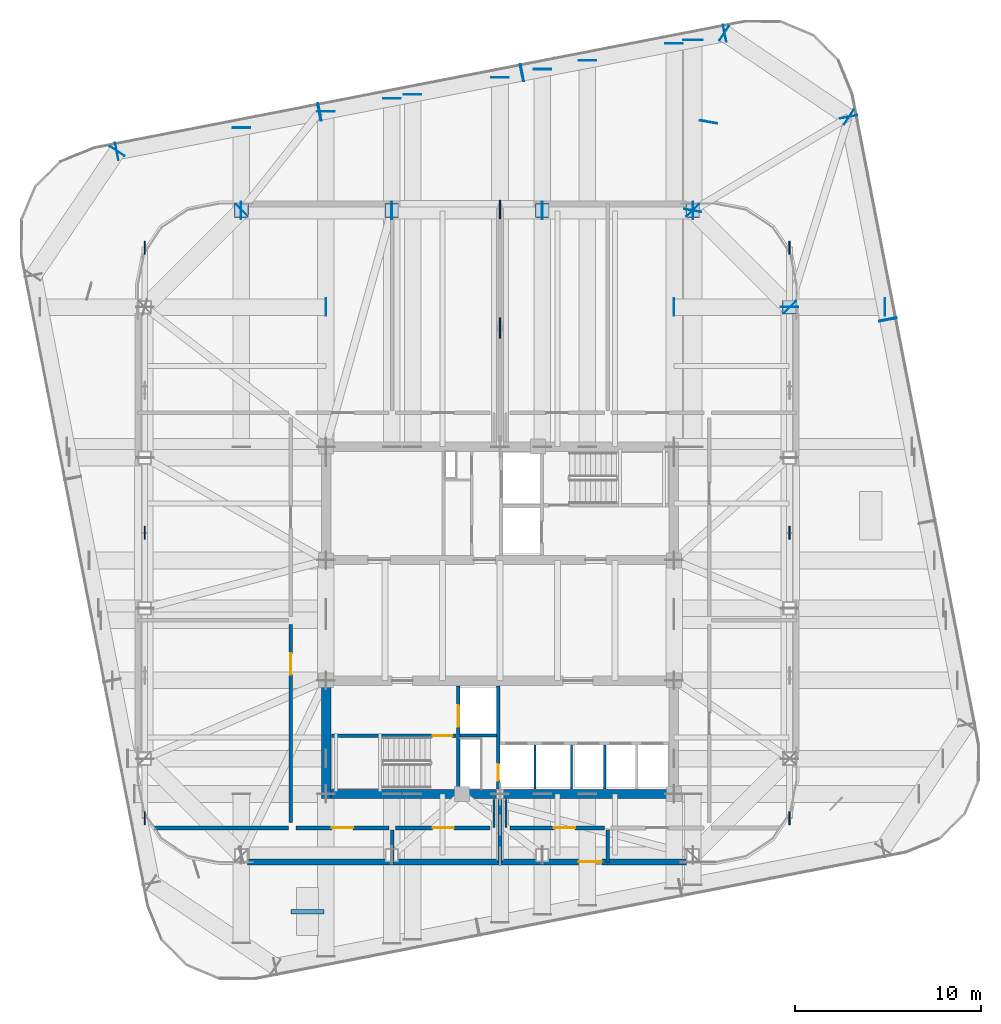
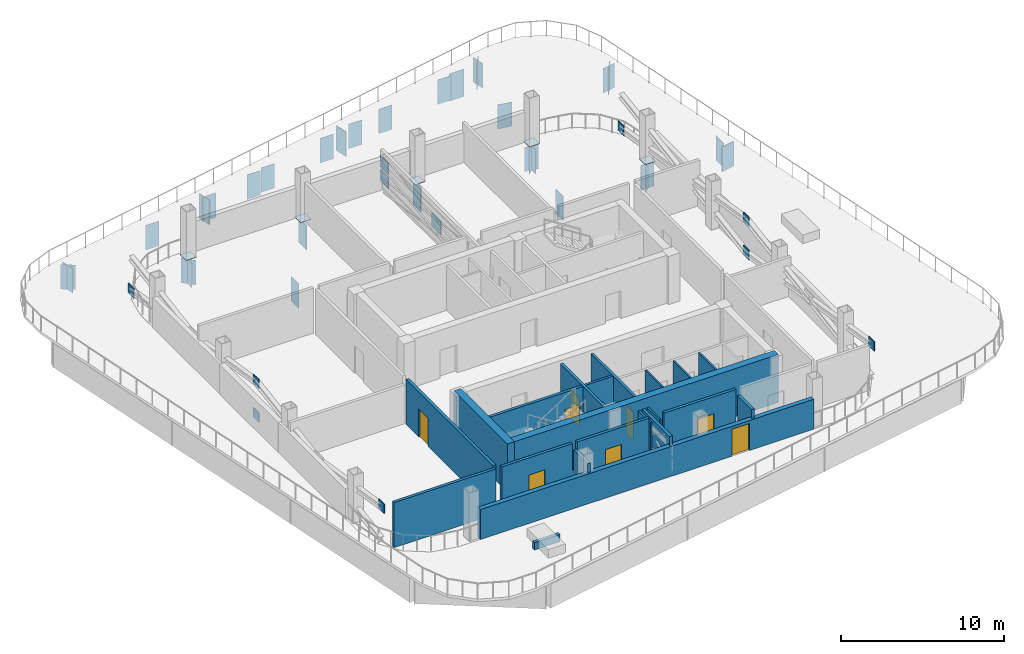
# One storey, part 7 of 14: 52 plates, 21 walls, 8 doors, 8 openings.
"""IFC4 building model written with IfcOpenShell, lengths in metres."""

from ifc_helpers import new_model, si_unit, direction, frame, frame_2d, origin, origin_2d, place, context, subcontext, project, spatial, rectangle, extrude, material, layer, layer_set, type_object, element, fill, save


model = new_model("IFC4")

# Units and contexts
model_context = context("Model", 3, precision=1e-05, world=origin(), true_north=direction((0.0, 1.0)))
body_context = subcontext(model_context, "Body", "Model", "MODEL_VIEW")
ifc_project = project(units=[si_unit("LENGTHUNIT", "METRE"), si_unit("AREAUNIT", "SQUARE_METRE"), si_unit("VOLUMEUNIT", "CUBIC_METRE"), si_unit("PLANEANGLEUNIT", "RADIAN"), si_unit("MASSUNIT", "GRAM", prefix="KILO")], contexts=[model_context])

# Site, building, storey
site_placement = place(None, origin())
site = spatial("IfcSite", under=ifc_project, at=site_placement, CompositionType="ELEMENT")
building_placement = place(site_placement, origin())
building = spatial("IfcBuilding", under=site, at=building_placement, Name="Qhalaya Broadcast Tower", CompositionType="ELEMENT")
storey_placement = place(building_placement, frame((0.0, 0.0, 144.60009765625)))
storey = spatial("IfcBuildingStorey", under=building, at=storey_placement, Name="L42", CompositionType="ELEMENT", Elevation=144.60009765625)

# Plates
ifc_material_1 = material(Name="Structural Steel ASTM A572 Grade 50", Category="steel")
ifc_layer_1 = layer(ifc_material_1, 0.4599609375, Name="Structural Steel ASTM A572 Grade 50")
ifc_layer_set_1 = layer_set([ifc_layer_1], Name="Structural Steel ASTM A572 Grade 50")
plate_type_1 = type_object("IfcPlateType", Name="Hollow Box Member End Cap Plate CP-01", PredefinedType="USERDEFINED", material=ifc_layer_set_1)
for number, where, z_axis, x_axis, name in (
    (1, (15.580078125, 17.47607421875, -2.10009765625), (0.0, 0.0, 1.0), (-1.0, 0.0, 0.0), "L42 Hollow Girder End Cap L42-SPR-07-B"),
    (2, (15.59130859375, 17.44873046875, -2.10009765625), (0.0, 0.0, 1.0), (-0.707106781187, -0.707106781187, 0.0), "L42 Hollow Girder End Cap L42-SPR-08-A"),
    (3, (10.36865234375, 22.67138671875, -2.10009765625), (0.0, 0.0, 1.0), (-0.707106781187, -0.707106781187, 0.0), "L42 Hollow Girder End Cap L42-SPR-08-B"),
    (4, (10.39599609375, 22.659912109375, -2.10009765625), (0.0, 0.0, 1.0), (0.0, -1.0, 0.0), "L42 Hollow Girder End Cap L42-SPR-09-A"),
    (5, (2.263916015625, 22.659912109375, -2.10009765625), (0.0, 0.0, 1.0), (0.0, -1.0, 0.0), "L42 Hollow Girder End Cap L42-SPR-09-B"),
    (6, (2.2958984375, 22.659912109375, -2.10009765625), (0.0, 0.0, 1.0), (0.0, -1.0, 0.0), "L42 Hollow Girder End Cap L42-SPR-10-A"),
    (7, (-5.8359375, 22.659912109375, -2.10009765625), (0.0, 0.0, 1.0), (0.0, -1.0, 0.0), "L42 Hollow Girder End Cap L42-SPR-10-B"),
    (8, (-5.803955078125, 22.659912109375, -2.10009765625), (0.0, 0.0, 1.0), (0.0, -1.0, 0.0), "L42 Hollow Girder End Cap L42-SPR-11-A"),
    (9, (-13.93603515625, 22.659912109375, -2.10009765625), (0.0, 0.0, 1.0), (0.0, -1.0, 0.0), "L42 Hollow Girder End Cap L42-SPR-11-B"),
    (10, (-13.90869140625, 22.67138671875, -2.10009765625), (0.0, 0.0, 1.0), (0.707106781187, -0.707106781187, 0.0), "L42 Hollow Girder End Cap L42-SPR-12-A"),
    (11, (20.877197265625, 16.808349609375, -2.10009765625), (0.0, 0.0, 1.0), (-0.981627183448, -0.190808995377, 0.0), "L42 Hollow Girder End Cap L42-TGL-06-B"),
    (12, (20.883544921875, 16.77685546875, -2.10009765625), (0.0, 0.0, 1.0), (-0.981627183448, -0.190808995377, 0.0), "L42 Hollow Girder End Cap L42-TGL-07-A"),
    (13, (18.75927734375, 27.704345703125, -2.10009765625), (0.0, 0.0, 1.0), (-0.981627183448, -0.190808995377, 0.0), "L42 Hollow Girder End Cap L42-TGL-07-B"),
    (14, (18.775634765625, 27.6796875, -2.10009765625), (0.0, 0.0, 1.0), (-0.559192903471, -0.829037572555, 0.0), "L42 Hollow Girder End Cap L42-TGL-08-A"),
    (15, (12.066162109375, 32.205078125, -2.10009765625), (0.0, 0.0, 1.0), (-0.559192903471, -0.829037572555, 0.0), "L42 Hollow Girder End Cap L42-TGL-08-B"),
    (16, (12.09521484375, 32.199462890625, -2.10009765625), (0.0, 0.0, 1.0), (0.190808995377, -0.981627183448, 0.0), "L42 Hollow Girder End Cap L42-TGL-09-A"),
    (17, (1.167724609375, 30.0751953125, -2.10009765625), (0.0, 0.0, 1.0), (0.190808995377, -0.981627183448, 0.0), "L42 Hollow Girder End Cap L42-TGL-09-B"),
    (18, (1.19921875, 30.08154296875, -2.10009765625), (0.0, 0.0, 1.0), (0.190808995377, -0.981627183448, 0.0), "L42 Hollow Girder End Cap L42-TGL-10-A"),
    (19, (-9.728271484375, 27.957275390625, -2.10009765625), (0.0, 0.0, 1.0), (0.190808995377, -0.981627183448, 0.0), "L42 Hollow Girder End Cap L42-TGL-10-B"),
    (20, (-9.697021484375, 27.96337890625, -2.10009765625), (0.0, 0.0, 1.0), (0.190808995377, -0.981627183448, 0.0), "L42 Hollow Girder End Cap L42-TGL-11-A"),
    (21, (-20.62451171875, 25.83935546875, -2.10009765625), (0.0, 0.0, 1.0), (0.190808995377, -0.981627183448, 0.0), "L42 Hollow Girder End Cap L42-TGL-11-B"),
    (22, (-20.599853515625, 25.855712890625, -2.10009765625), (0.0, 0.0, 1.0), (0.829037572555, -0.559192903471, 0.0), "L42 Hollow Girder End Cap L42-TGL-12-A"),
    (23, (-9.375, 28.001220703125, -2.10009765625), (0.0, 0.0, 1.0), (-1.0, 0.0, 0.0), "L42 Hollow Girder End Cap L42-TGINW-1-B"),
    (24, (9.375, 31.64599609375, -2.10009765625), (0.0, 0.0, 1.0), (-1.0, 0.0, 0.0), "L42 Hollow Girder End Cap L42-TGINE-1-B"),
    (25, (0.0, 29.823486328125, -2.10009765625), (0.0, 0.0, 1.0), (-1.0, 0.0, 0.0), "L42 Hollow Girder End Cap L42-TGIMN-1-B"),
    (26, (-4.699951171875, 28.909912109375, -2.10009765625), (0.0, 0.0, 1.0), (-1.0, 0.0, 0.0), "L42 Hollow Girder End Cap L42-TGIMNW-1-B"),
    (27, (4.699951171875, 30.7373046875, -2.10009765625), (0.0, 0.0, 1.0), (-1.0, 0.0, 0.0), "L42 Hollow Girder End Cap L42-TGIMNE-1-B"),
    (28, (9.35888671875, 17.4599609375, -2.10009765625), (0.0, 0.0, 1.0), (0.0, 1.0, 0.0), "L42 Hollow Girder End Cap L42-TGC-08-A"),
    (29, (20.725830078125, 17.4599609375, -2.10009765625), (0.0, 0.0, 1.0), (0.0, 1.0, 0.0), "L42 Hollow Girder End Cap L42-TGC-08-B"),
):
    element("IfcPlate", number, at=place(storey_placement, frame(where, z_axis=z_axis, x_axis=x_axis)), inside=storey, type_object=plate_type_1, Name=name, ObjectType="COVER_PLATE", PredefinedType="USERDEFINED", context=body_context, shape_type="SweptSolid", body=[
        extrude(rectangle(XDim=0.93994140625, YDim=0.031982421875, at=origin_2d()), origin(), (0.0, 0.0, 1.0), 1.840087890625),
    ])
plate_1_placement = place(storey_placement, frame((10.3798828125, 31.84130859375, -2.300048828125), z_axis=(0.0, 0.0, 1.0), x_axis=(-1.0, 0.0, 0.0)))
element("IfcPlate", 30, at=plate_1_placement, inside=storey, type_object=plate_type_1, Name="L42 Hollow Girder End Cap L42-TGC-09-B", ObjectType="COVER_PLATE", PredefinedType="USERDEFINED", context=body_context, shape_type="SweptSolid", body=[
    extrude(rectangle(XDim=1.0400390625, YDim=0.031982421875, at=origin_2d()), origin(), (0.0, 0.0, 1.0), 2.0400390625),
])
plate_2_placement = place(storey_placement, frame((10.3798828125, 22.659912109375, -2.080078125), z_axis=(0.0, 0.0, 1.0), x_axis=(0.984487872592, -0.175452639534, 0.0)))
element("IfcPlate", 31, at=plate_2_placement, inside=storey, type_object=plate_type_1, Name="L42 Transfer Box End Cap 09", ObjectType="COVER_PLATE", PredefinedType="USERDEFINED", context=body_context, shape_type="SweptSolid", body=[
    extrude(rectangle(XDim=0.919921875, YDim=0.035888671875, at=origin_2d()), origin(), (0.0, 0.0, 1.0), 1.800048828125),
])
for number, where, z_axis, x_axis, name in (
    (32, (2.280029296875, 30.266845703125, -2.10009765625), (0.0, 0.0, 1.0), (-1.0, 0.0, 0.0), "L42 Hollow Girder End Cap L42-TGC-10-B"),
    (33, (-5.820068359375, 28.6923828125, -2.10009765625), (0.0, 0.0, 1.0), (-1.0, 0.0, 0.0), "L42 Hollow Girder End Cap L42-TGC-11-B"),
    (34, (-13.919921875, 27.117919921875, -2.10009765625), (0.0, 0.0, 1.0), (-1.0, 0.0, 0.0), "L42 Hollow Girder End Cap L42-TGC-12-B"),
    (35, (-9.35888671875, 17.4599609375, -2.10009765625), (0.0, 0.0, 1.0), (0.0, 1.0, 0.0), "L42 Hollow Girder End Cap L42-TGC-13-B"),
):
    element("IfcPlate", number, at=place(storey_placement, frame(where, z_axis=z_axis, x_axis=x_axis)), inside=storey, type_object=plate_type_1, Name=name, ObjectType="COVER_PLATE", PredefinedType="USERDEFINED", context=body_context, shape_type="SweptSolid", body=[
        extrude(rectangle(XDim=0.93994140625, YDim=0.031982421875, at=origin_2d()), origin(), (0.0, 0.0, 1.0), 1.840087890625),
    ])
for number, where, z_axis, x_axis, name in (
    (36, (15.580078125, 17.4599609375, -0.0322265625), (0.0, 0.0, 1.0), (0.0, 1.0, 0.0), "L42 Hollow Box Column Base Cap Plate COL-NK08"),
    (37, (10.3798828125, 22.659912109375, -0.0322265625), (0.0, 0.0, 1.0), (1.0, 0.0, 0.0), "L42 Hollow Box Column Base Cap Plate COL-NK09"),
    (38, (2.280029296875, 22.659912109375, -0.0322265625), (0.0, 0.0, 1.0), (1.0, 0.0, 0.0), "L42 Hollow Box Column Base Cap Plate COL-NK10"),
    (39, (-5.820068359375, 22.659912109375, -0.0322265625), (0.0, 0.0, 1.0), (1.0, 0.0, 0.0), "L42 Hollow Box Column Base Cap Plate COL-NK11"),
    (40, (-13.919921875, 22.659912109375, -0.0322265625), (0.0, 0.0, 1.0), (1.0, 0.0, 0.0), "L42 Hollow Box Column Base Cap Plate COL-NK12"),
):
    element("IfcPlate", number, at=place(storey_placement, frame(where, z_axis=z_axis, x_axis=x_axis)), inside=storey, type_object=plate_type_1, Name=name, ObjectType="COVER_PLATE", PredefinedType="USERDEFINED", context=body_context, shape_type="SweptSolid", body=[
        extrude(rectangle(XDim=0.739990234375, YDim=0.739990234375, at=origin_2d()), origin(), (0.0, 0.0, 1.0), 0.031982421875),
    ])
ifc_layer_2 = layer(ifc_material_1, 0.06005859375, Name="Structural Steel ASTM A572 Grade 50")
ifc_layer_set_2 = layer_set([ifc_layer_2], Name="Structural Steel ASTM A572 Grade 50")
plate_type_2 = type_object("IfcPlateType", Name="Outrigger Core Embed Gusset Plate NP-02", PredefinedType="USERDEFINED", material=ifc_layer_set_2)
plate_3_placement = place(storey_placement, frame((0.0, 16.330078125, 0.875), z_axis=(0.0, 0.0, 1.0), x_axis=(0.0, 1.0, 0.0)))
element("IfcPlate", 41, at=plate_3_placement, inside=storey, type_object=plate_type_2, Name="L42 Outrigger Gusset Node NC-XM", ObjectType="GUSSET_PLATE", PredefinedType="USERDEFINED", context=body_context, shape_type="SweptSolid", body=[
    extrude(rectangle(XDim=1.10009765625, YDim=0.06005859375, at=origin_2d()), origin(), (0.0, 0.0, 1.0), 1.0),
])
for number, where, z_axis, x_axis, name in (
    (42, (0.0, 22.7099609375, 0.4248046875), (0.0, 0.0, 1.0), (0.0, 1.0, 0.0), "L42 Outrigger Gusset Node NC-P0"),
    (43, (0.0, 22.7099609375, 1.474853515625), (0.0, 0.0, 1.0), (0.0, 1.0, 0.0), "L42 Outrigger Gusset Node NC-P1"),
):
    element("IfcPlate", number, at=place(storey_placement, frame(where, z_axis=z_axis, x_axis=x_axis)), inside=storey, type_object=plate_type_2, Name=name, ObjectType="GUSSET_PLATE", PredefinedType="USERDEFINED", context=body_context, shape_type="SweptSolid", body=[
        extrude(rectangle(XDim=1.0, YDim=0.06005859375, at=origin_2d()), origin(), (0.0, 0.0, 1.0), 0.85009765625),
    ])
for number, where, z_axis, x_axis, name in (
    (44, (-19.1201171875, -10.0400390625, 2.580078125), (0.0, 0.0, 1.0), (0.0, 1.0, 0.0), "L42 Belt Truss End Gusset W1-B1T"),
    (45, (-19.1201171875, 5.31005859375, 0.10009765625), (0.0, 0.0, 1.0), (0.0, 1.0, 0.0), "L42 Belt Truss End Gusset W1-B2B"),
    (46, (-19.1201171875, 5.31005859375, 2.580078125), (0.0, 0.0, 1.0), (0.0, 1.0, 0.0), "L42 Belt Truss End Gusset W2-B1T"),
    (47, (-19.1201171875, 20.659912109375, 0.10009765625), (0.0, 0.0, 1.0), (0.0, 1.0, 0.0), "L42 Belt Truss End Gusset W2-B2B"),
    (48, (15.580078125, -10.0400390625, 2.580078125), (0.0, 0.0, 1.0), (0.0, 1.0, 0.0), "L42 Belt Truss End Gusset E1-B1T"),
    (49, (15.580078125, 5.31005859375, 0.10009765625), (0.0, 0.0, 1.0), (0.0, 1.0, 0.0), "L42 Belt Truss End Gusset E1-B2B"),
    (50, (15.580078125, 5.31005859375, 2.580078125), (0.0, 0.0, 1.0), (0.0, 1.0, 0.0), "L42 Belt Truss End Gusset E2-B1T"),
    (51, (15.580078125, 20.659912109375, 0.10009765625), (0.0, 0.0, 1.0), (0.0, 1.0, 0.0), "L42 Belt Truss End Gusset E2-B2B"),
):
    element("IfcPlate", number, at=place(storey_placement, frame(where, z_axis=z_axis, x_axis=x_axis)), inside=storey, type_object=plate_type_2, Name=name, ObjectType="GUSSET_PLATE", PredefinedType="USERDEFINED", context=body_context, shape_type="SweptSolid", body=[
        extrude(rectangle(XDim=0.699951171875, YDim=0.06005859375, at=origin_2d()), origin(), (0.0, 0.0, 1.0), 0.699951171875),
    ])
ifc_layer_3 = layer(ifc_material_1, 0.044921875, Name="Structural Steel ASTM A572 Grade 50")
ifc_layer_set_3 = layer_set([ifc_layer_3], Name="Structural Steel ASTM A572 Grade 50")
plate_type_3 = type_object("IfcPlateType", Name="Transfer Girder Web Stiffener Plate WS-01", PredefinedType="USERDEFINED", material=ifc_layer_set_3)
plate_4_placement = place(storey_placement, frame((11.229736328125, 27.42822265625, -2.080078125), z_axis=(0.0, 0.0, 1.0), x_axis=(0.984487872592, -0.175452639534, 0.0)))
element("IfcPlate", 52, at=plate_4_placement, inside=storey, type_object=plate_type_3, Name="L42 Transfer Girder Stiffener 09", ObjectType="STIFFENER_PLATE", PredefinedType="USERDEFINED", context=body_context, shape_type="SweptSolid", body=[
    extrude(rectangle(XDim=0.93994140625, YDim=0.044921875, at=origin_2d()), origin(), (0.0, 0.0, 1.0), 1.800048828125),
])

# Wall
ifc_material_2 = material(Name="Gypsum Acoustic Partition")
ifc_layer_4 = layer(ifc_material_2, 0.199951171875, Name="Gypsum Acoustic Partition")
ifc_layer_set_4 = layer_set([ifc_layer_4], Name="Gypsum Acoustic Partition")
wall_type_1 = type_object("IfcWallType", Name="Firefighting Lobby & Stair Enclosure Wall 200", PredefinedType="PARTITIONING", material=ifc_layer_set_4)
wall_1_placement = place(storey_placement, frame((0.0, -12.419921875, 0.0), z_axis=(0.0, 0.0, 1.0), x_axis=(0.0, 1.0, 0.0)))
element("IfcWall", 53, at=wall_1_placement, inside=storey, type_object=wall_type_1, Name="L42 Partition Wall W-OBS", PredefinedType="PARTITIONING", context=body_context, shape_type="SweptSolid", body=[
    extrude(rectangle(XDim=3.3798828125, YDim=0.199951171875, at=frame_2d((1.68994140625, 0.0))), origin(), (0.0, 0.0, 1.0), 2.90087890625),
])

# Wall, opening, door
wall_2_placement = place(storey_placement, frame((-10.969970703125, -10.570068359375, 0.0), z_axis=(0.0, 0.0, 1.0), x_axis=(1.0, 0.0, 0.0)))
wall_2 = element("IfcWall", 54, at=wall_2_placement, inside=storey, type_object=wall_type_1, Name="L42 Partition Wall W-PCS0", PredefinedType="PARTITIONING", context=body_context, shape_type="SweptSolid", body=[
    extrude(rectangle(XDim=4.989990234375, YDim=0.199951171875, at=frame_2d((2.4951171875, 0.0))), origin(), (0.0, 0.0, 1.0), 3.3798828125),
])
opening_1_placement = place(wall_2_placement, frame((1.919921875, 0.0, 0.0)))
opening_1 = element("IfcOpeningElement", 55, at=opening_1_placement, cuts=wall_2, Name="Opening D05", PredefinedType="OPENING", context=body_context, shape_type="SweptSolid", body=[
    extrude(rectangle(XDim=1.14990234375, YDim=2.10009765625, at=frame_2d((0.574951171875, 1.050048828125))), frame((0.0, 0.112060546875, 0.0), z_axis=(0.0, -1.0, 0.0), x_axis=(1.0, 0.0, 0.0)), (0.0, 0.0, 1.0), 0.223876953125),
])
ifc_material_3 = material(Name="Fire-Rated Steel Door", Category="steel")
door_type_1 = type_object("IfcDoorType", Name="Refuge & Plant Room Fire Door D05", OperationType="NOTDEFINED", PredefinedType="DOOR", material=ifc_material_3)
door_1_placement = place(opening_1_placement, origin())
door_1 = element("IfcDoor", 56, at=door_1_placement, inside=storey, type_object=door_type_1, Name="L42 Door D-PCS0", OperationType="SINGLE_SWING_RIGHT", OverallHeight=2.10009765625, OverallWidth=1.14990234375, PredefinedType="DOOR", context=body_context, shape_type="SweptSolid", body=[
    extrude(rectangle(XDim=1.14990234375, YDim=2.10009765625, at=frame_2d((0.574951171875, 1.050048828125))), frame((0.0, 0.02490234375, 0.0), z_axis=(0.0, -1.0, 0.0), x_axis=(1.0, 0.0, 0.0)), (0.0, 0.0, 1.0), 0.050048828125),
])
fill(opening_1, door_1)

# Wall
wall_3_placement = place(storey_placement, frame((-5.800048828125, -12.419921875, 0.0), z_axis=(0.0, 0.0, 1.0), x_axis=(0.0, 1.0, 0.0)))
element("IfcWall", 57, at=wall_3_placement, inside=storey, type_object=wall_type_1, Name="L42 Partition Wall W-PDS1", PredefinedType="PARTITIONING", context=body_context, shape_type="SweptSolid", body=[
    extrude(rectangle(XDim=1.72998046875, YDim=0.199951171875, at=frame_2d((0.864990234375, 0.0))), origin(), (0.0, 0.0, 1.0), 2.90087890625),
])

# Wall, opening, door
wall_4_placement = place(storey_placement, frame((-5.6201171875, -10.570068359375, 0.0), z_axis=(0.0, 0.0, 1.0), x_axis=(1.0, 0.0, 0.0)))
wall_4 = element("IfcWall", 58, at=wall_4_placement, inside=storey, type_object=wall_type_1, Name="L42 Partition Wall W-PCS1", PredefinedType="PARTITIONING", context=body_context, shape_type="SweptSolid", body=[
    extrude(rectangle(XDim=5.090087890625, YDim=0.199951171875, at=frame_2d((2.544921875, 0.0))), origin(), (0.0, 0.0, 1.0), 3.3798828125),
])
opening_2_placement = place(wall_4_placement, frame((1.989990234375, 0.0, 0.0)))
opening_2 = element("IfcOpeningElement", 59, at=opening_2_placement, cuts=wall_4, Name="Opening D05", PredefinedType="OPENING", context=body_context, shape_type="SweptSolid", body=[
    extrude(rectangle(XDim=1.14990234375, YDim=2.10009765625, at=frame_2d((0.574951171875, 1.050048828125))), frame((0.0, 0.112060546875, 0.0), z_axis=(0.0, -1.0, 0.0), x_axis=(1.0, 0.0, 0.0)), (0.0, 0.0, 1.0), 0.223876953125),
])
door_2_placement = place(opening_2_placement, origin())
door_2 = element("IfcDoor", 60, at=door_2_placement, inside=storey, type_object=door_type_1, Name="L42 Door D-PCS1", OperationType="SINGLE_SWING_RIGHT", OverallHeight=2.10009765625, OverallWidth=1.14990234375, PredefinedType="DOOR", context=body_context, shape_type="SweptSolid", body=[
    extrude(rectangle(XDim=1.14990234375, YDim=2.10009765625, at=frame_2d((0.574951171875, 1.050048828125))), frame((0.0, 0.02490234375, 0.0), z_axis=(0.0, -1.0, 0.0), x_axis=(1.0, 0.0, 0.0)), (0.0, 0.0, 1.0), 0.050048828125),
])
fill(opening_2, door_2)

wall_5_placement = place(storey_placement, frame((0.530029296875, -10.570068359375, 0.0), z_axis=(0.0, 0.0, 1.0), x_axis=(1.0, 0.0, 0.0)))
wall_5 = element("IfcWall", 61, at=wall_5_placement, inside=storey, type_object=wall_type_1, Name="L42 Partition Wall W-PCS2", PredefinedType="PARTITIONING", context=body_context, shape_type="SweptSolid", body=[
    extrude(rectangle(XDim=5.090087890625, YDim=0.199951171875, at=frame_2d((2.544921875, 0.0))), origin(), (0.0, 0.0, 1.0), 3.3798828125),
])
opening_3_placement = place(wall_5_placement, frame((2.3701171875, 0.0, 0.0)))
opening_3 = element("IfcOpeningElement", 62, at=opening_3_placement, cuts=wall_5, Name="Opening D05", PredefinedType="OPENING", context=body_context, shape_type="SweptSolid", body=[
    extrude(rectangle(XDim=1.14990234375, YDim=2.10009765625, at=frame_2d((0.574951171875, 1.050048828125))), frame((0.0, 0.112060546875, 0.0), z_axis=(0.0, -1.0, 0.0), x_axis=(1.0, 0.0, 0.0)), (0.0, 0.0, 1.0), 0.223876953125),
])
door_3_placement = place(opening_3_placement, origin())
door_3 = element("IfcDoor", 63, at=door_3_placement, inside=storey, type_object=door_type_1, Name="L42 Door D-PCS2", OperationType="SINGLE_SWING_RIGHT", OverallHeight=2.10009765625, OverallWidth=1.14990234375, PredefinedType="DOOR", context=body_context, shape_type="SweptSolid", body=[
    extrude(rectangle(XDim=1.14990234375, YDim=2.10009765625, at=frame_2d((0.574951171875, 1.050048828125))), frame((0.0, 0.02490234375, 0.0), z_axis=(0.0, -1.0, 0.0), x_axis=(1.0, 0.0, 0.0)), (0.0, 0.0, 1.0), 0.050048828125),
])
fill(opening_3, door_3)

# Walls
wall_6_placement = place(storey_placement, frame((5.800048828125, -12.419921875, 0.0), z_axis=(0.0, 0.0, 1.0), x_axis=(0.0, 1.0, 0.0)))
element("IfcWall", 64, at=wall_6_placement, inside=storey, type_object=wall_type_1, Name="L42 Partition Wall W-PDS3", PredefinedType="PARTITIONING", context=body_context, shape_type="SweptSolid", body=[
    extrude(rectangle(XDim=1.72998046875, YDim=0.199951171875, at=frame_2d((0.864990234375, 0.0))), origin(), (0.0, 0.0, 1.0), 2.90087890625),
])
wall_7_placement = place(storey_placement, frame((-18.59326171875, -10.570068359375, 0.0), z_axis=(0.0, 0.0, 1.0), x_axis=(1.0, 0.0, 0.0)))
element("IfcWall", 65, at=wall_7_placement, inside=storey, type_object=wall_type_1, Name="L42 Partition Wall W-PBSW", PredefinedType="PARTITIONING", context=body_context, shape_type="SweptSolid", body=[
    extrude(rectangle(XDim=7.203369140625, YDim=0.199951171875, at=frame_2d((3.6015625, 0.0))), origin(), (0.0, 0.0, 1.0), 3.3798828125),
])

# Wall, opening, door
wall_8_placement = place(storey_placement, frame((-11.27001953125, 0.389892578125, 0.0), z_axis=(0.0, 0.0, 1.0), x_axis=(0.0, -1.0, 0.0)))
wall_8 = element("IfcWall", 66, at=wall_8_placement, inside=storey, type_object=wall_type_1, Name="L42 Partition Wall W-PCW1", PredefinedType="PARTITIONING", context=body_context, shape_type="SweptSolid", body=[
    extrude(rectangle(XDim=10.679931640625, YDim=0.199951171875, at=frame_2d((5.33984375, 0.0))), origin(), (0.0, 0.0, 1.0), 3.3798828125),
])
opening_4_placement = place(wall_8_placement, frame((1.56103515625, 0.0, 0.0)))
opening_4 = element("IfcOpeningElement", 67, at=opening_4_placement, cuts=wall_8, Name="Opening D05", PredefinedType="OPENING", context=body_context, shape_type="SweptSolid", body=[
    extrude(rectangle(XDim=1.14990234375, YDim=2.10009765625, at=frame_2d((0.574951171875, 1.050048828125))), frame((0.0, 0.112060546875, 0.0), z_axis=(0.0, -1.0, 0.0), x_axis=(1.0, 0.0, 0.0)), (0.0, 0.0, 1.0), 0.223876953125),
])
door_4_placement = place(opening_4_placement, origin())
door_4 = element("IfcDoor", 68, at=door_4_placement, inside=storey, type_object=door_type_1, Name="L42 Door D-PCW1", OperationType="SINGLE_SWING_LEFT", OverallHeight=2.10009765625, OverallWidth=1.14990234375, PredefinedType="DOOR", context=body_context, shape_type="SweptSolid", body=[
    extrude(rectangle(XDim=1.14990234375, YDim=2.10009765625, at=frame_2d((0.574951171875, 1.050048828125))), frame((0.0, 0.02490234375, 0.0), z_axis=(0.0, -1.0, 0.0), x_axis=(1.0, 0.0, 0.0)), (0.0, 0.0, 1.0), 0.050048828125),
])
fill(opening_4, door_4)

ifc_material_4 = material(Name="Concrete C50/60", Category="concrete")
ifc_layer_5 = layer(ifc_material_4, 0.199951171875, Name="Concrete C50/60")
ifc_layer_set_5 = layer_set([ifc_layer_5], Name="Concrete C50/60")
wall_type_2 = type_object("IfcWallType", Name="Load-Bearing Stair Shaft Wall 200", PredefinedType="SHEAR", material=ifc_layer_set_5)
wall_9_placement = place(storey_placement, frame((-9.080078125, -5.60498046875, 0.0), z_axis=(0.0, 0.0, 1.0), x_axis=(1.0, 0.0, 0.0)))
wall_9 = element("IfcWall", 69, at=wall_9_placement, inside=storey, type_object=wall_type_2, Name="L42 Stair Core Shear Wall SCW-ST2", PredefinedType="SHEAR", context=body_context, shape_type="SweptSolid", body=[
    extrude(rectangle(XDim=6.719970703125, YDim=0.199951171875, at=frame_2d((3.35986328125, 0.0))), origin(), (0.0, 0.0, 1.0), 3.3798828125),
])
opening_5_placement = place(wall_9_placement, frame((5.449951171875, 0.0, 0.0)))
opening_5 = element("IfcOpeningElement", 70, at=opening_5_placement, cuts=wall_9, Name="Opening D03", PredefinedType="OPENING", context=body_context, shape_type="SweptSolid", body=[
    extrude(rectangle(XDim=1.050048828125, YDim=2.080078125, at=frame_2d((0.52490234375, 1.0400390625))), frame((0.0, 0.112060546875, 0.0), z_axis=(0.0, -1.0, 0.0), x_axis=(1.0, 0.0, 0.0)), (0.0, 0.0, 1.0), 0.223876953125),
])
door_type_2 = type_object("IfcDoorType", Name="Core Stair Protected Fire Door D03", OperationType="NOTDEFINED", PredefinedType="DOOR", material=ifc_material_3)
door_5_placement = place(opening_5_placement, origin())
door_5 = element("IfcDoor", 71, at=door_5_placement, inside=storey, type_object=door_type_2, Name="L42 Door D-SST2", OperationType="SINGLE_SWING_RIGHT", OverallHeight=2.080078125, OverallWidth=1.050048828125, PredefinedType="DOOR", context=body_context, shape_type="SweptSolid", body=[
    extrude(rectangle(XDim=1.050048828125, YDim=2.080078125, at=frame_2d((0.52490234375, 1.0400390625))), frame((0.0, 0.02490234375, 0.0), z_axis=(0.0, -1.0, 0.0), x_axis=(1.0, 0.0, 0.0)), (0.0, 0.0, 1.0), 0.050048828125),
])
fill(opening_5, door_5)

wall_10_placement = place(storey_placement, frame((-2.25, -8.47998046875, 0.0), z_axis=(0.0, 0.0, 1.0), x_axis=(0.0, 1.0, 0.0)))
wall_10 = element("IfcWall", 72, at=wall_10_placement, inside=storey, type_object=wall_type_2, Name="L42 Stair Core Shear Wall SCW-FF", PredefinedType="SHEAR", context=body_context, shape_type="SweptSolid", body=[
    extrude(rectangle(XDim=5.56005859375, YDim=0.199951171875, at=frame_2d((2.780029296875, 0.0))), origin(), (0.0, 0.0, 1.0), 3.3798828125),
])
opening_6_placement = place(wall_10_placement, frame((3.35009765625, 0.0, 0.0)))
opening_6 = element("IfcOpeningElement", 73, at=opening_6_placement, cuts=wall_10, Name="Opening LD2", PredefinedType="OPENING", context=body_context, shape_type="SweptSolid", body=[
    extrude(rectangle(XDim=1.14990234375, YDim=2.080078125, at=frame_2d((0.574951171875, 1.0400390625))), frame((0.0, 0.112060546875, 0.0), z_axis=(0.0, -1.0, 0.0), x_axis=(1.0, 0.0, 0.0)), (0.0, 0.0, 1.0), 0.223876953125),
])
ifc_material_5 = material(Name="Brushed Stainless Steel Lift Door", Category="steel")
door_type_3 = type_object("IfcDoorType", Name="Firefighting Lift Sliding Landing Door LD2", OperationType="DOUBLE_DOOR_SLIDING", PredefinedType="DOOR", material=ifc_material_5)
door_6_placement = place(opening_6_placement, origin())
door_6 = element("IfcDoor", 74, at=door_6_placement, inside=storey, type_object=door_type_3, Name="L42 Door LD-FF2", OperationType="DOUBLE_DOOR_SLIDING", OverallHeight=2.080078125, OverallWidth=1.14990234375, PredefinedType="DOOR", context=body_context, shape_type="SweptSolid", body=[
    extrude(rectangle(XDim=1.14990234375, YDim=2.080078125, at=frame_2d((0.574951171875, 1.0400390625))), frame((0.0, 0.02490234375, 0.0), z_axis=(0.0, -1.0, 0.0), x_axis=(1.0, 0.0, 0.0)), (0.0, 0.0, 1.0), 0.050048828125),
])
fill(opening_6, door_6)

# Walls
ifc_layer_6 = layer(ifc_material_4, 0.5, Name="Concrete C50/60")
ifc_layer_set_6 = layer_set([ifc_layer_6], Name="Concrete C50/60")
wall_type_3 = type_object("IfcWallType", Name="Mid Split-Core Shear Wall 500", PredefinedType="SHEAR", material=ifc_layer_set_6)
wall_11_placement = place(storey_placement, frame((-9.60009765625, -8.75, 0.0), z_axis=(0.0, 0.0, 1.0), x_axis=(1.0, 0.0, 0.0)))
element("IfcWall", 75, at=wall_11_placement, inside=storey, type_object=wall_type_3, Name="L42 Split-Core Shear Wall CW-SS", PredefinedType="SHEAR", context=body_context, shape_type="SweptSolid", body=[
    extrude(rectangle(XDim=19.2001953125, YDim=0.5, at=frame_2d((9.60009765625, 0.0))), origin(), (0.0, 0.0, 1.0), 3.599853515625),
])
wall_12_placement = place(storey_placement, frame((-9.35009765625, -9.0, 0.0), z_axis=(0.0, 0.0, 1.0), x_axis=(0.0, 1.0, 0.0)))
element("IfcWall", 76, at=wall_12_placement, inside=storey, type_object=wall_type_3, Name="L42 Split-Core Shear Wall CW-SW", PredefinedType="SHEAR", context=body_context, shape_type="SweptSolid", body=[
    extrude(rectangle(XDim=6.60009765625, YDim=0.5, at=frame_2d((3.300048828125, 0.0))), origin(), (0.0, 0.0, 1.0), 3.599853515625),
])
ifc_layer_7 = layer(ifc_material_2, 0.1201171875, Name="Gypsum Acoustic Partition")
ifc_layer_set_7 = layer_set([ifc_layer_7], Name="Gypsum Acoustic Partition")
wall_type_4 = type_object("IfcWallType", Name="Office, Booth & Sanitary Partition 120", PredefinedType="PARTITIONING", material=ifc_layer_set_7)
for number, where, z_axis, x_axis, name in (
    (77, (1.8798828125, -8.47998046875, 0.0), (0.0, 0.0, 1.0), (0.0, 1.0, 0.0), "L42 Partition Wall SCW-MD4"),
    (78, (3.85009765625, -8.47998046875, 0.0), (0.0, 0.0, 1.0), (0.0, 1.0, 0.0), "L42 Partition Wall SCW-MD5"),
    (79, (5.639892578125, -8.47998046875, 0.0), (0.0, 0.0, 1.0), (0.0, 1.0, 0.0), "L42 Partition Wall SCW-HD6"),
):
    element("IfcWall", number, at=place(storey_placement, frame(where, z_axis=z_axis, x_axis=x_axis)), inside=storey, type_object=wall_type_4, Name=name, PredefinedType="PARTITIONING", context=body_context, shape_type="SweptSolid", body=[
        extrude(rectangle(XDim=2.3798828125, YDim=0.1201171875, at=frame_2d((1.18994140625, 0.0))), origin(), (0.0, 0.0, 1.0), 3.3798828125),
    ])
for number, where, z_axis, x_axis, name in (
    (80, (-0.320068359375, -10.550048828125, 0.0), (0.0, 0.0, 1.0), (0.0, 1.0, 0.0), "L42 Partition Wall W-OBSCW"),
    (81, (0.320068359375, -10.550048828125, 0.0), (0.0, 0.0, 1.0), (0.0, 1.0, 0.0), "L42 Partition Wall W-OBSCE"),
):
    element("IfcWall", number, at=place(storey_placement, frame(where, z_axis=z_axis, x_axis=x_axis)), inside=storey, type_object=wall_type_4, Name=name, PredefinedType="PARTITIONING", context=body_context, shape_type="SweptSolid", body=[
        extrude(rectangle(XDim=1.510009765625, YDim=0.1201171875, at=frame_2d((0.7548828125, 0.0))), origin(), (0.0, 0.0, 1.0), 2.90087890625),
    ])
ifc_material_6 = material(Name="Precast Concrete C40/50", Category="concrete")
ifc_layer_8 = layer(ifc_material_6, 0.239990234375, Name="Precast Concrete C40/50")
ifc_layer_set_8 = layer_set([ifc_layer_8], Name="Precast Concrete C40/50")
wall_type_5 = type_object("IfcWallType", Name="Planted Terrace & Roof Parapet Upstand 240", PredefinedType="PARAPET", material=ifc_layer_set_8)
wall_13_placement = place(storey_placement, frame((-11.262451171875, -15.072998046875, 0.0), z_axis=(0.0, 0.0, 1.0), x_axis=(1.0, 0.0, 0.0)))
element("IfcWall", 82, at=wall_13_placement, inside=storey, type_object=wall_type_5, Name="L42 Planted Parapet Upstand PW-1", PredefinedType="PARAPET", context=body_context, shape_type="SweptSolid", body=[
    extrude(rectangle(XDim=1.800048828125, YDim=0.239990234375, at=frame_2d((0.89990234375, 0.0))), origin(), (0.0, 0.0, 1.0), 0.5498046875),
])

# Wall, opening, door
ifc_layer_9 = layer(ifc_material_6, 0.320068359375, Name="Precast Concrete C40/50")
ifc_layer_set_9 = layer_set([ifc_layer_9], Name="Precast Concrete C40/50")
wall_type_6 = type_object("IfcWallType", Name="Recessed Neck Insulated Exterior Wall 320", PredefinedType="SOLIDWALL", material=ifc_layer_set_9)
wall_14_placement = place(storey_placement, frame((10.0419921875, -12.39990234375, 0.0), z_axis=(0.0, 0.0, 1.0), x_axis=(-1.0, 0.0, 0.0)))
wall_14 = element("IfcWall", 83, at=wall_14_placement, inside=storey, type_object=wall_type_6, Name="L42 Exterior Facade Wall S", PredefinedType="SOLIDWALL", context=body_context, shape_type="SweptSolid", body=[
    extrude(rectangle(XDim=23.6240234375, YDim=0.320068359375, at=frame_2d((11.81201171875, 0.0))), origin(), (0.0, 0.0, 1.0), 2.241943359375),
])
opening_7_placement = place(wall_14_placement, frame((4.56298828125, 0.0, 0.0)))
opening_7 = element("IfcOpeningElement", 84, at=opening_7_placement, cuts=wall_14, Name="Opening D13", PredefinedType="OPENING", context=body_context, shape_type="SweptSolid", body=[
    extrude(rectangle(XDim=1.25, YDim=2.02001953125, at=frame_2d((0.625, 1.010009765625))), frame((0.0, 0.172119140625, 0.0), z_axis=(0.0, -1.0, 0.0), x_axis=(1.0, 0.0, 0.0)), (0.0, 0.0, 1.0), 0.343994140625),
])
ifc_material_7 = material(Name="Anodised Aluminium Glazed Door", Category="aluminium")
door_type_4 = type_object("IfcDoorType", Name="Sky-Garden, Sky-Pool & Lookout Terrace Door D13", OperationType="NOTDEFINED", PredefinedType="DOOR", material=ifc_material_7)
door_7_placement = place(opening_7_placement, origin())
door_7 = element("IfcDoor", 85, at=door_7_placement, inside=storey, type_object=door_type_4, Name="L42 Outdoor Terrace Access Door S", OperationType="SINGLE_SWING_LEFT", OverallHeight=2.02001953125, OverallWidth=1.25, PredefinedType="DOOR", context=body_context, shape_type="SweptSolid", body=[
    extrude(rectangle(XDim=1.25, YDim=2.02001953125, at=frame_2d((0.625, 1.010009765625))), frame((0.0, 0.02490234375, 0.0), z_axis=(0.0, -1.0, 0.0), x_axis=(1.0, 0.0, 0.0)), (0.0, 0.0, 1.0), 0.050048828125),
])
fill(opening_7, door_7)

ifc_layer_10 = layer(ifc_material_2, 0.175048828125, Name="Gypsum Acoustic Partition")
ifc_layer_set_10 = layer_set([ifc_layer_10], Name="Gypsum Acoustic Partition")
wall_type_7 = type_object("IfcWallType", Name="Shaft & Riser Fire Partition 175", PredefinedType="PARTITIONING", material=ifc_layer_set_10)
wall_15_placement = place(storey_placement, frame((-0.10009765625, -8.47998046875, 0.0), z_axis=(0.0, 0.0, 1.0), x_axis=(0.0, 1.0, 0.0)))
wall_15 = element("IfcWall", 86, at=wall_15_placement, inside=storey, type_object=wall_type_7, Name="L42 Partition Wall SCW-FFE", PredefinedType="PARTITIONING", context=body_context, shape_type="SweptSolid", body=[
    extrude(rectangle(XDim=5.56005859375, YDim=0.175048828125, at=frame_2d((2.780029296875, 0.0))), origin(), (0.0, 0.0, 1.0), 3.3798828125),
])
opening_8_placement = place(wall_15_placement, frame((0.449951171875, 0.0, 0.0)))
opening_8 = element("IfcOpeningElement", 87, at=opening_8_placement, cuts=wall_15, Name="Opening D06", PredefinedType="OPENING", context=body_context, shape_type="SweptSolid", body=[
    extrude(rectangle(XDim=0.89990234375, YDim=2.050048828125, at=frame_2d((0.449951171875, 1.02490234375))), frame((0.0, 0.099609375, 0.0), z_axis=(0.0, -1.0, 0.0), x_axis=(1.0, 0.0, 0.0)), (0.0, 0.0, 1.0), 0.198974609375),
])
door_type_5 = type_object("IfcDoorType", Name="Riser & Electrical Shaft Access Door D06", OperationType="NOTDEFINED", PredefinedType="DOOR", material=ifc_material_3)
door_8_placement = place(opening_8_placement, origin())
door_8 = element("IfcDoor", 88, at=door_8_placement, inside=storey, type_object=door_type_5, Name="L42 Riser Shaft Access Door D-SRSR", OperationType="SINGLE_SWING_LEFT", OverallHeight=2.050048828125, OverallWidth=0.89990234375, PredefinedType="DOOR", context=body_context, shape_type="SweptSolid", body=[
    extrude(rectangle(XDim=0.89990234375, YDim=2.050048828125, at=frame_2d((0.449951171875, 1.02490234375))), frame((0.0, 0.02490234375, 0.0), z_axis=(0.0, -1.0, 0.0), x_axis=(1.0, 0.0, 0.0)), (0.0, 0.0, 1.0), 0.050048828125),
])
fill(opening_8, door_8)

# Wall
wall_16_placement = place(storey_placement, frame((-2.14990234375, -5.60009765625, 0.0), z_axis=(0.0, 0.0, 1.0), x_axis=(1.0, 0.0, 0.0)))
element("IfcWall", 89, at=wall_16_placement, inside=storey, type_object=wall_type_7, Name="L42 Partition Wall SCW-FFM", PredefinedType="PARTITIONING", context=body_context, shape_type="SweptSolid", body=[
    extrude(rectangle(XDim=1.969970703125, YDim=0.175048828125, at=frame_2d((0.98486328125, 0.0))), origin(), (0.0, 0.0, 1.0), 3.3798828125),
])

save(model, "model.ifc")
